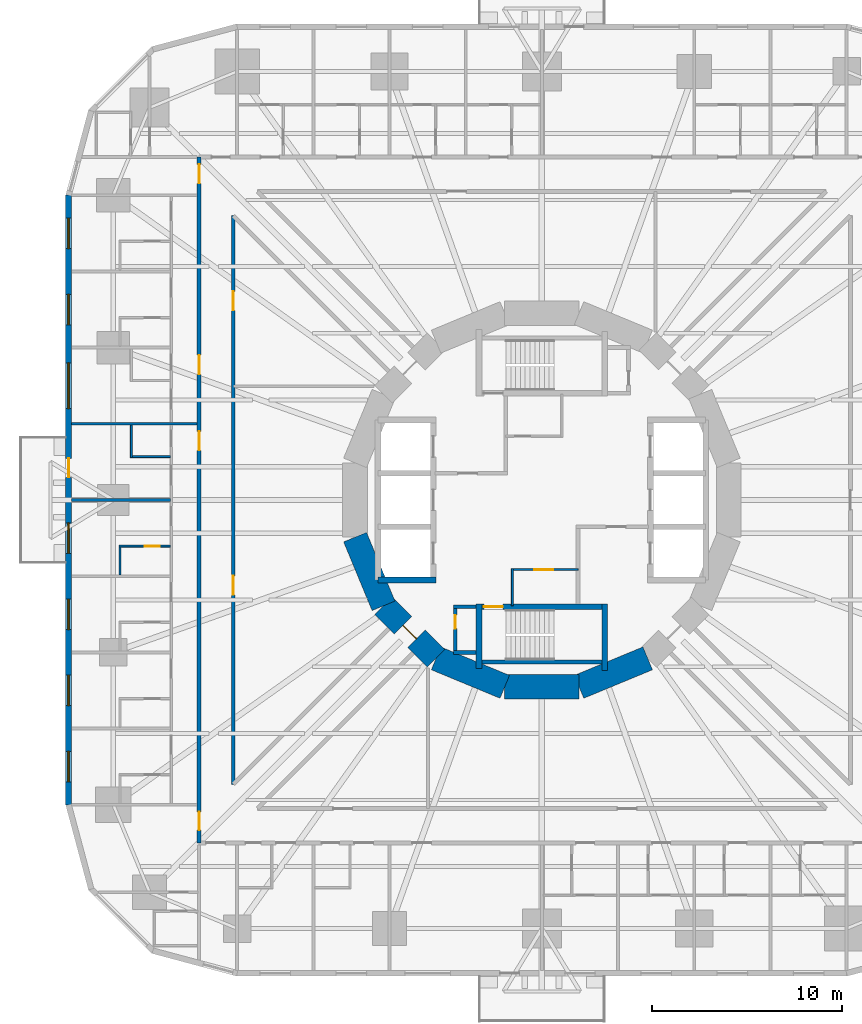
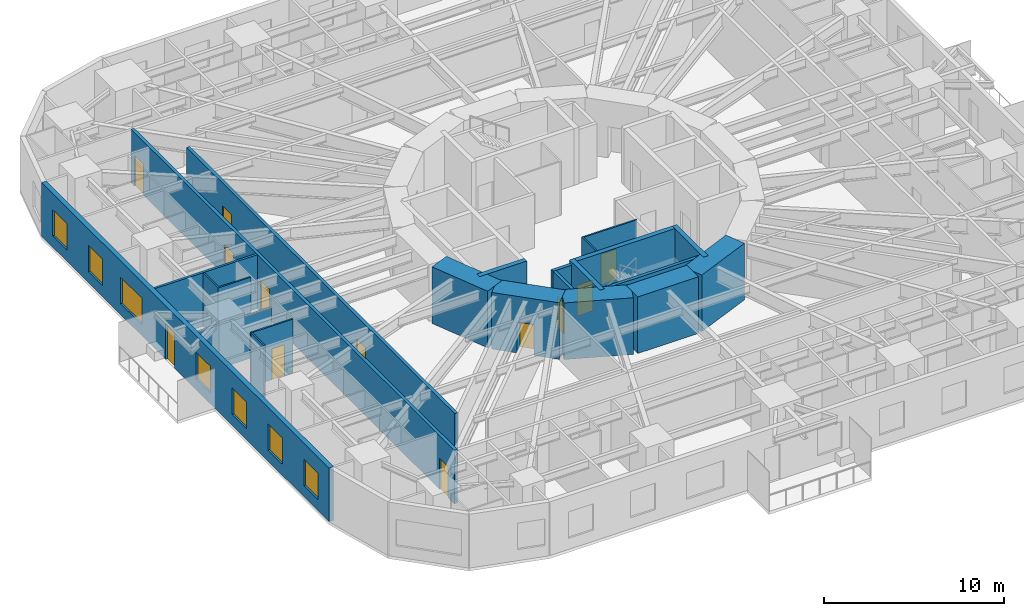
# One storey, part 6 of 14: 24 walls, 12 doors, 7 windows, 19 openings.
"""IFC4 building model written with IfcOpenShell, lengths in metres."""

from ifc_helpers import new_model, si_unit, direction, frame, frame_2d, origin, place, context, subcontext, project, spatial, rectangle, extrude, material, layer, layer_set, type_object, element, fill, save


model = new_model("IFC4")

# Units and contexts
model_context = context("Model", 3, precision=1e-05, world=origin(), true_north=direction((0.0, 1.0)))
body_context = subcontext(model_context, "Body", "Model", "MODEL_VIEW")
ifc_project = project(units=[si_unit("LENGTHUNIT", "METRE"), si_unit("AREAUNIT", "SQUARE_METRE"), si_unit("VOLUMEUNIT", "CUBIC_METRE"), si_unit("PLANEANGLEUNIT", "RADIAN"), si_unit("MASSUNIT", "GRAM", prefix="KILO")], contexts=[model_context])

# Site, building, storey
site_placement = place(None, origin())
site = spatial("IfcSite", under=ifc_project, at=site_placement, CompositionType="ELEMENT")
building_placement = place(site_placement, origin())
building = spatial("IfcBuilding", under=site, at=building_placement, Name="Nakasero Lantern House", CompositionType="ELEMENT")
storey_placement = place(building_placement, frame((0.0, 0.0, 23.699951171875)))
storey = spatial("IfcBuildingStorey", under=building, at=storey_placement, Name="L05", CompositionType="ELEMENT", Elevation=23.699951171875)

# Wall
ifc_material_1 = material(Name="Concrete C50/60", Category="concrete")
ifc_layer_1 = layer(ifc_material_1, 0.300048828125)
ifc_layer_set_1 = layer_set([ifc_layer_1], Name="Core inner wall 300")
wall_type_1 = type_object("IfcWallType", Name="Core inner wall 300", PredefinedType="SHEAR", material=ifc_layer_set_1)
wall_1_placement = place(storey_placement, frame((-8.60009765625, -4.199951171875, 0.0), z_axis=(0.0, 0.0, 1.0), x_axis=(1.0, 0.0, 0.0)))
element("IfcWall", 1, at=wall_1_placement, inside=storey, type_object=wall_type_1, Name="Core inner wall L05 LWS", PredefinedType="SHEAR", context=body_context, shape_type="SweptSolid", body=[
    extrude(rectangle(XDim=3.050048828125, YDim=0.300048828125, at=frame_2d((1.52490234375, 0.0))), origin(), (0.0, 0.0, 1.0), 3.85009765625),
])

# Wall, opening, door
wall_2_placement = place(storey_placement, frame((-3.449951171875, -5.60009765625, 0.0), z_axis=(0.0, 0.0, 1.0), x_axis=(1.0, 0.0, 0.0)))
wall_2 = element("IfcWall", 2, at=wall_2_placement, inside=storey, type_object=wall_type_1, Name="Core inner wall L05 SS", PredefinedType="SHEAR", context=body_context, shape_type="SweptSolid", body=[
    extrude(rectangle(XDim=6.89990234375, YDim=0.300048828125, at=frame_2d((3.449951171875, 0.0))), origin(), (0.0, 0.0, 1.0), 3.85009765625),
])
opening_1_placement = place(wall_2_placement, frame((0.39990234375, 0.0, 0.0)))
opening_1 = element("IfcOpeningElement", 3, at=opening_1_placement, cuts=wall_2, Name="Opening D05", PredefinedType="OPENING", context=body_context, shape_type="SweptSolid", body=[
    extrude(rectangle(XDim=1.0, YDim=2.10009765625, at=frame_2d((0.5, 1.050048828125))), frame((0.0, 0.169921875, 0.0), z_axis=(0.0, -1.0, 0.0), x_axis=(1.0, 0.0, 0.0)), (0.0, 0.0, 1.0), 0.340087890625),
])
ifc_material_2 = material(Name="Timber C24", Category="wood")
door_type_1 = type_object("IfcDoorType", Name="Core door FD60S 1000", OperationType="SINGLE_SWING_LEFT", PredefinedType="DOOR", material=ifc_material_2)
door_1_placement = place(opening_1_placement, origin())
door_1 = element("IfcDoor", 4, at=door_1_placement, inside=storey, type_object=door_type_1, Name="Door L05 D-ST2", OperationType="SINGLE_SWING_LEFT", OverallHeight=2.10009765625, OverallWidth=1.0, PredefinedType="DOOR", context=body_context, shape_type="SweptSolid", body=[
    extrude(rectangle(XDim=1.0, YDim=2.10009765625, at=frame_2d((0.5, 1.050048828125))), frame((0.0, 0.02490234375, 0.0), z_axis=(0.0, -1.0, 0.0), x_axis=(1.0, 0.0, 0.0)), (0.0, 0.0, 1.0), 0.050048828125),
])
fill(opening_1, door_1)

# Walls
wall_3_placement = place(storey_placement, frame((-3.300048828125, -5.449951171875, 0.0), z_axis=(0.0, 0.0, 1.0), x_axis=(0.0, -1.0, 0.0)))
element("IfcWall", 5, at=wall_3_placement, inside=storey, type_object=wall_type_1, Name="Core inner wall L05 SSW", PredefinedType="SHEAR", context=body_context, shape_type="SweptSolid", body=[
    extrude(rectangle(XDim=3.400146484375, YDim=0.300048828125, at=frame_2d((1.7001953125, 0.0))), origin(), (0.0, 0.0, 1.0), 3.85009765625),
])
wall_4_placement = place(storey_placement, frame((3.300048828125, -5.449951171875, 0.0), z_axis=(0.0, 0.0, 1.0), x_axis=(0.0, -1.0, 0.0)))
element("IfcWall", 6, at=wall_4_placement, inside=storey, type_object=wall_type_1, Name="Core inner wall L05 SSE", PredefinedType="SHEAR", context=body_context, shape_type="SweptSolid", body=[
    extrude(rectangle(XDim=3.5, YDim=0.300048828125, at=frame_2d((1.75, 0.0))), origin(), (0.0, 0.0, 1.0), 3.85009765625),
])

# Wall, opening, door
ifc_material_3 = material(Name="Blockwork", Category="masonry")
ifc_layer_2 = layer(ifc_material_3, 0.10009765625)
ifc_layer_set_2 = layer_set([ifc_layer_2], Name="Core room wall 100")
wall_type_2 = type_object("IfcWallType", Name="Core room wall 100", PredefinedType="PARTITIONING", material=ifc_layer_set_2)
wall_5_placement = place(storey_placement, frame((-1.60009765625, -3.64990234375, 0.0), z_axis=(0.0, 0.0, 1.0), x_axis=(1.0, 0.0, 0.0)))
wall_5 = element("IfcWall", 7, at=wall_5_placement, inside=storey, type_object=wall_type_2, Name="Core room wall L05 CR-SWN", PredefinedType="PARTITIONING", context=body_context, shape_type="SweptSolid", body=[
    extrude(rectangle(XDim=3.5, YDim=0.10009765625, at=frame_2d((1.75, 0.0))), origin(), (0.0, 0.0, 1.0), 3.650146484375),
])
opening_2_placement = place(wall_5_placement, frame((1.199951171875, 0.0, 0.0)))
opening_2 = element("IfcOpeningElement", 8, at=opening_2_placement, cuts=wall_5, Name="Opening D07", PredefinedType="OPENING", context=body_context, shape_type="SweptSolid", body=[
    extrude(rectangle(XDim=1.0, YDim=2.10009765625, at=frame_2d((0.5, 1.050048828125))), frame((0.0, 0.070068359375, 0.0), z_axis=(0.0, -1.0, 0.0), x_axis=(1.0, 0.0, 0.0)), (0.0, 0.0, 1.0), 0.14013671875),
])
ifc_material_4 = material(Name="Timber C24", Category="wood")
door_type_2 = type_object("IfcDoorType", Name="Room door FD30S 1000", OperationType="SINGLE_SWING_LEFT", PredefinedType="DOOR", material=ifc_material_4)
door_2_placement = place(opening_2_placement, origin())
door_2 = element("IfcDoor", 9, at=door_2_placement, inside=storey, type_object=door_type_2, Name="Door L05 D-CR-SW", OperationType="SINGLE_SWING_LEFT", OverallHeight=2.10009765625, OverallWidth=1.0, PredefinedType="DOOR", context=body_context, shape_type="SweptSolid", body=[
    extrude(rectangle(XDim=1.0, YDim=2.10009765625, at=frame_2d((0.5, 1.050048828125))), frame((0.0, 0.02490234375, 0.0), z_axis=(0.0, -1.0, 0.0), x_axis=(1.0, 0.0, 0.0)), (0.0, 0.0, 1.0), 0.050048828125),
])
fill(opening_2, door_2)

# Walls
wall_6_placement = place(storey_placement, frame((-1.550048828125, -5.550048828125, 0.0), z_axis=(0.0, 0.0, 1.0), x_axis=(0.0, 1.0, 0.0)))
element("IfcWall", 10, at=wall_6_placement, inside=storey, type_object=wall_type_2, Name="Core room wall L05 CR-SWW", PredefinedType="PARTITIONING", context=body_context, shape_type="SweptSolid", body=[
    extrude(rectangle(XDim=1.949951171875, YDim=0.10009765625, at=frame_2d((0.97509765625, 0.0))), origin(), (0.0, 0.0, 1.0), 3.650146484375),
])
ifc_material_5 = material(Name="Concrete C50/60", Category="concrete")
ifc_layer_3 = layer(ifc_material_5, 1.300048828125)
ifc_layer_set_3 = layer_set([ifc_layer_3], Name="Core wall 1300")
wall_type_3 = type_object("IfcWallType", Name="Core wall 1300", PredefinedType="SHEAR", material=ifc_layer_set_3)
wall_7_placement = place(storey_placement, frame((-9.807861328125, -1.950927734375, 0.0), z_axis=(0.0, 0.0, 1.0), x_axis=(0.382690736062, -0.923876507187, 0.0)))
element("IfcWall", 11, at=wall_7_placement, inside=storey, type_object=wall_type_3, Name="Core wall L05 facet 9", PredefinedType="SHEAR", context=body_context, shape_type="SweptSolid", body=[
    extrude(rectangle(XDim=3.90185546875, YDim=1.300048828125, at=frame_2d((1.950927734375, 0.0))), origin(), (0.0, 0.0, 1.0), 3.85009765625),
])

# Wall, opening, door
wall_8_placement = place(storey_placement, frame((-8.314697265625, -5.5556640625, 0.0), z_axis=(0.0, 0.0, 1.0), x_axis=(0.707106781187, -0.707106781187, 0.0)))
wall_8 = element("IfcWall", 12, at=wall_8_placement, inside=storey, type_object=wall_type_3, Name="Core wall L05 facet 10", PredefinedType="SHEAR", context=body_context, shape_type="SweptSolid", body=[
    extrude(rectangle(XDim=3.90185546875, YDim=1.300048828125, at=frame_2d((1.950927734375, 0.0))), origin(), (0.0, 0.0, 1.0), 3.85009765625),
])
opening_3_placement = place(wall_8_placement, frame((1.450927734375, 0.0, 0.0)))
opening_3 = element("IfcOpeningElement", 13, at=opening_3_placement, cuts=wall_8, Name="Opening D05", PredefinedType="OPENING", context=body_context, shape_type="SweptSolid", body=[
    extrude(rectangle(XDim=1.0, YDim=2.10009765625, at=frame_2d((0.5, 1.050048828125))), frame((0.0, 0.669921875, 0.0), z_axis=(0.0, -1.0, 0.0), x_axis=(1.0, 0.0, 0.0)), (0.0, 0.0, 1.0), 1.340087890625),
])
door_3_placement = place(opening_3_placement, origin())
door_3 = element("IfcDoor", 14, at=door_3_placement, inside=storey, type_object=door_type_1, Name="Door L05 D-CORE10", OperationType="SINGLE_SWING_LEFT", OverallHeight=2.10009765625, OverallWidth=1.0, PredefinedType="DOOR", context=body_context, shape_type="SweptSolid", body=[
    extrude(rectangle(XDim=1.0, YDim=2.10009765625, at=frame_2d((0.5, 1.050048828125))), frame((0.0, 0.02490234375, 0.0), z_axis=(0.0, -1.0, 0.0), x_axis=(1.0, 0.0, 0.0)), (0.0, 0.0, 1.0), 0.050048828125),
])
fill(opening_3, door_3)

# Walls
for number, where, z_axis, x_axis, name in (
    (15, (-5.5556640625, -8.314697265625, 0.0), (0.0, 0.0, 1.0), (0.923876507187, -0.382690736062, 0.0), "Core wall L05 facet 11"),
    (16, (-1.950927734375, -9.807861328125, 0.0), (0.0, 0.0, 1.0), (1.0, 0.0, 0.0), "Core wall L05 facet 12"),
    (17, (1.950927734375, -9.807861328125, 0.0), (0.0, 0.0, 1.0), (0.923876507187, 0.382690736062, 0.0), "Core wall L05 facet 13"),
):
    element("IfcWall", number, at=place(storey_placement, frame(where, z_axis=z_axis, x_axis=x_axis)), inside=storey, type_object=wall_type_3, Name=name, PredefinedType="SHEAR", context=body_context, shape_type="SweptSolid", body=[
        extrude(rectangle(XDim=3.90185546875, YDim=1.300048828125, at=frame_2d((1.950927734375, 0.0))), origin(), (0.0, 0.0, 1.0), 3.85009765625),
    ])

# Wall, openings, doors
ifc_material_6 = material(Name="Blockwork", Category="masonry")
ifc_layer_4 = layer(ifc_material_6, 0.199951171875)
ifc_layer_set_4 = layer_set([ifc_layer_4], Name="Corridor wall 200")
wall_type_4 = type_object("IfcWallType", Name="Corridor wall 200", PredefinedType="PARTITIONING", material=ifc_layer_set_4)
wall_9_placement = place(storey_placement, frame((-18.0, 18.0, 0.0), z_axis=(0.0, 0.0, 1.0), x_axis=(0.0, -1.0, 0.0)))
wall_9 = element("IfcWall", 18, at=wall_9_placement, inside=storey, type_object=wall_type_4, Name="Corridor wall L05 CW2", PredefinedType="PARTITIONING", context=body_context, shape_type="SweptSolid", body=[
    extrude(rectangle(XDim=36.0, YDim=0.199951171875, at=frame_2d((18.0, 0.0))), origin(), (0.0, 0.0, 1.0), 3.650146484375),
])
opening_4_placement = place(wall_9_placement, frame((10.39990234375, 0.0, 0.0)))
opening_4 = element("IfcOpeningElement", 19, at=opening_4_placement, cuts=wall_9, Name="Opening D14", PredefinedType="OPENING", context=body_context, shape_type="SweptSolid", body=[
    extrude(rectangle(XDim=1.0, YDim=2.10009765625, at=frame_2d((0.5, 1.050048828125))), frame((0.0, 0.119873046875, 0.0), z_axis=(0.0, -1.0, 0.0), x_axis=(1.0, 0.0, 0.0)), (0.0, 0.0, 1.0), 0.239990234375),
])
opening_5_placement = place(wall_9_placement, frame((14.39990234375, 0.0, 0.0)))
opening_5 = element("IfcOpeningElement", 20, at=opening_5_placement, cuts=wall_9, Name="Opening D14", PredefinedType="OPENING", context=body_context, shape_type="SweptSolid", body=[
    extrude(rectangle(XDim=1.0, YDim=2.10009765625, at=frame_2d((0.5, 1.050048828125))), frame((0.0, 0.119873046875, 0.0), z_axis=(0.0, -1.0, 0.0), x_axis=(1.0, 0.0, 0.0)), (0.0, 0.0, 1.0), 0.239990234375),
])
opening_6_placement = place(wall_9_placement, frame((0.375, 0.0, 0.0)))
opening_6 = element("IfcOpeningElement", 21, at=opening_6_placement, cuts=wall_9, Name="Opening D07", PredefinedType="OPENING", context=body_context, shape_type="SweptSolid", body=[
    extrude(rectangle(XDim=1.0, YDim=2.10009765625, at=frame_2d((0.5, 1.050048828125))), frame((0.0, 0.119873046875, 0.0), z_axis=(0.0, -1.0, 0.0), x_axis=(1.0, 0.0, 0.0)), (0.0, 0.0, 1.0), 0.239990234375),
])
opening_7_placement = place(wall_9_placement, frame((34.375, 0.0, 0.0)))
opening_7 = element("IfcOpeningElement", 22, at=opening_7_placement, cuts=wall_9, Name="Opening D01", PredefinedType="OPENING", context=body_context, shape_type="SweptSolid", body=[
    extrude(rectangle(XDim=0.949951171875, YDim=2.10009765625, at=frame_2d((0.47509765625, 1.050048828125))), frame((0.0, 0.119873046875, 0.0), z_axis=(0.0, -1.0, 0.0), x_axis=(1.0, 0.0, 0.0)), (0.0, 0.0, 1.0), 0.239990234375),
])
ifc_material_7 = material(Name="Timber C24", Category="wood")
door_type_3 = type_object("IfcDoorType", Name="Bedroom door FD30S 950", OperationType="SINGLE_SWING_LEFT", PredefinedType="DOOR", material=ifc_material_7)
door_4_placement = place(opening_7_placement, origin())
door_4 = element("IfcDoor", 23, at=door_4_placement, inside=storey, type_object=door_type_3, Name="Door L05 D2-09", OperationType="SINGLE_SWING_RIGHT", OverallHeight=2.10009765625, OverallWidth=0.949951171875, PredefinedType="DOOR", context=body_context, shape_type="SweptSolid", body=[
    extrude(rectangle(XDim=0.949951171875, YDim=2.10009765625, at=frame_2d((0.47509765625, 1.050048828125))), frame((0.0, 0.02490234375, 0.0), z_axis=(0.0, -1.0, 0.0), x_axis=(1.0, 0.0, 0.0)), (0.0, 0.0, 1.0), 0.050048828125),
])
fill(opening_7, door_4)
ifc_material_8 = material(Name="Timber C24", Category="wood")
door_type_4 = type_object("IfcDoorType", Name="Cluster entrance door FD30S 1000", OperationType="SINGLE_SWING_LEFT", PredefinedType="DOOR", material=ifc_material_8)
door_5_placement = place(opening_4_placement, origin())
door_5 = element("IfcDoor", 24, at=door_5_placement, inside=storey, type_object=door_type_4, Name="Door L05 DF2-0", OperationType="SINGLE_SWING_LEFT", OverallHeight=2.10009765625, OverallWidth=1.0, PredefinedType="DOOR", context=body_context, shape_type="SweptSolid", body=[
    extrude(rectangle(XDim=1.0, YDim=2.10009765625, at=frame_2d((0.5, 1.050048828125))), frame((0.0, 0.02490234375, 0.0), z_axis=(0.0, -1.0, 0.0), x_axis=(1.0, 0.0, 0.0)), (0.0, 0.0, 1.0), 0.050048828125),
])
fill(opening_4, door_5)
door_6_placement = place(opening_5_placement, origin())
door_6 = element("IfcDoor", 25, at=door_6_placement, inside=storey, type_object=door_type_4, Name="Door L05 DF2-1", OperationType="SINGLE_SWING_LEFT", OverallHeight=2.10009765625, OverallWidth=1.0, PredefinedType="DOOR", context=body_context, shape_type="SweptSolid", body=[
    extrude(rectangle(XDim=1.0, YDim=2.10009765625, at=frame_2d((0.5, 1.050048828125))), frame((0.0, 0.02490234375, 0.0), z_axis=(0.0, -1.0, 0.0), x_axis=(1.0, 0.0, 0.0)), (0.0, 0.0, 1.0), 0.050048828125),
])
fill(opening_5, door_6)
door_7_placement = place(opening_6_placement, origin())
door_7 = element("IfcDoor", 26, at=door_7_placement, inside=storey, type_object=door_type_2, Name="Door L05 D2-00", OperationType="SINGLE_SWING_LEFT", OverallHeight=2.10009765625, OverallWidth=1.0, PredefinedType="DOOR", context=body_context, shape_type="SweptSolid", body=[
    extrude(rectangle(XDim=1.0, YDim=2.10009765625, at=frame_2d((0.5, 1.050048828125))), frame((0.0, 0.02490234375, 0.0), z_axis=(0.0, -1.0, 0.0), x_axis=(1.0, 0.0, 0.0)), (0.0, 0.0, 1.0), 0.050048828125),
])
fill(opening_6, door_7)

wall_10_placement = place(storey_placement, frame((-16.199951171875, 14.92724609375, 0.0), z_axis=(0.0, 0.0, 1.0), x_axis=(0.0, -1.0, 0.0)))
wall_10 = element("IfcWall", 27, at=wall_10_placement, inside=storey, type_object=wall_type_4, Name="Corridor wall L05 IW2-0", PredefinedType="PARTITIONING", context=body_context, shape_type="SweptSolid", body=[
    extrude(rectangle(XDim=29.8544921875, YDim=0.199951171875, at=frame_2d((14.92724609375, 0.0))), origin(), (0.0, 0.0, 1.0), 3.650146484375),
])
opening_8_placement = place(wall_10_placement, frame((3.978271484375, 0.0, 0.0)))
opening_8 = element("IfcOpeningElement", 28, at=opening_8_placement, cuts=wall_10, Name="Opening D07", PredefinedType="OPENING", context=body_context, shape_type="SweptSolid", body=[
    extrude(rectangle(XDim=1.0, YDim=2.10009765625, at=frame_2d((0.5, 1.050048828125))), frame((0.0, 0.119873046875, 0.0), z_axis=(0.0, -1.0, 0.0), x_axis=(1.0, 0.0, 0.0)), (0.0, 0.0, 1.0), 0.239990234375),
])
opening_9_placement = place(wall_10_placement, frame((18.9052734375, 0.0, 0.0)))
opening_9 = element("IfcOpeningElement", 29, at=opening_9_placement, cuts=wall_10, Name="Opening D07", PredefinedType="OPENING", context=body_context, shape_type="SweptSolid", body=[
    extrude(rectangle(XDim=1.0, YDim=2.10009765625, at=frame_2d((0.5, 1.050048828125))), frame((0.0, 0.119873046875, 0.0), z_axis=(0.0, -1.0, 0.0), x_axis=(1.0, 0.0, 0.0)), (0.0, 0.0, 1.0), 0.239990234375),
])
door_8_placement = place(opening_8_placement, origin())
door_8 = element("IfcDoor", 30, at=door_8_placement, inside=storey, type_object=door_type_2, Name="Door L05 DI4", OperationType="SINGLE_SWING_LEFT", OverallHeight=2.10009765625, OverallWidth=1.0, PredefinedType="DOOR", context=body_context, shape_type="SweptSolid", body=[
    extrude(rectangle(XDim=1.0, YDim=2.10009765625, at=frame_2d((0.5, 1.050048828125))), frame((0.0, 0.02490234375, 0.0), z_axis=(0.0, -1.0, 0.0), x_axis=(1.0, 0.0, 0.0)), (0.0, 0.0, 1.0), 0.050048828125),
])
fill(opening_8, door_8)
door_9_placement = place(opening_9_placement, origin())
door_9 = element("IfcDoor", 31, at=door_9_placement, inside=storey, type_object=door_type_2, Name="Door L05 DI4S", OperationType="SINGLE_SWING_RIGHT", OverallHeight=2.10009765625, OverallWidth=1.0, PredefinedType="DOOR", context=body_context, shape_type="SweptSolid", body=[
    extrude(rectangle(XDim=1.0, YDim=2.10009765625, at=frame_2d((0.5, 1.050048828125))), frame((0.0, 0.02490234375, 0.0), z_axis=(0.0, -1.0, 0.0), x_axis=(1.0, 0.0, 0.0)), (0.0, 0.0, 1.0), 0.050048828125),
])
fill(opening_9, door_9)

# Walls
ifc_material_9 = material(Name="Blockwork", Category="masonry")
ifc_layer_5 = layer(ifc_material_9, 0.10009765625)
ifc_layer_set_5 = layer_set([ifc_layer_5], Name="En-suite wall 100")
wall_type_5 = type_object("IfcWallType", Name="En-suite wall 100", PredefinedType="PARTITIONING", material=ifc_layer_set_5)
wall_11_placement = place(storey_placement, frame((-19.5, 2.27490234375, 0.0), z_axis=(0.0, 0.0, 1.0), x_axis=(-1.0, 0.0, 0.0)))
element("IfcWall", 32, at=wall_11_placement, inside=storey, type_object=wall_type_5, Name="En-suite wall L05 SS2-1", PredefinedType="PARTITIONING", context=body_context, shape_type="SweptSolid", body=[
    extrude(rectangle(XDim=2.10009765625, YDim=0.10009765625, at=frame_2d((1.050048828125, 0.0))), origin(), (0.0, 0.0, 1.0), 3.650146484375),
])
wall_12_placement = place(storey_placement, frame((-21.550048828125, 3.925048828125, 0.0), z_axis=(0.0, 0.0, 1.0), x_axis=(0.0, -1.0, 0.0)))
element("IfcWall", 33, at=wall_12_placement, inside=storey, type_object=wall_type_5, Name="En-suite wall L05 SE2-1", PredefinedType="PARTITIONING", context=body_context, shape_type="SweptSolid", body=[
    extrude(rectangle(XDim=1.699951171875, YDim=0.10009765625, at=frame_2d((0.85009765625, 0.0))), origin(), (0.0, 0.0, 1.0), 3.650146484375),
])

# Wall, opening, door
wall_13_placement = place(storey_placement, frame((-19.5, -2.425048828125, 0.0), z_axis=(0.0, 0.0, 1.0), x_axis=(-1.0, 0.0, 0.0)))
wall_13 = element("IfcWall", 34, at=wall_13_placement, inside=storey, type_object=wall_type_5, Name="En-suite wall L05 ES2-05", PredefinedType="PARTITIONING", context=body_context, shape_type="SweptSolid", body=[
    extrude(rectangle(XDim=2.699951171875, YDim=0.10009765625, at=frame_2d((1.35009765625, 0.0))), origin(), (0.0, 0.0, 1.0), 3.650146484375),
])
opening_10_placement = place(wall_13_placement, frame((0.550048828125, 0.0, 0.0)))
opening_10 = element("IfcOpeningElement", 35, at=opening_10_placement, cuts=wall_13, Name="Opening D02", PredefinedType="OPENING", context=body_context, shape_type="SweptSolid", body=[
    extrude(rectangle(XDim=0.800048828125, YDim=2.10009765625, at=frame_2d((0.39990234375, 1.050048828125))), frame((0.0, 0.070068359375, 0.0), z_axis=(0.0, -1.0, 0.0), x_axis=(1.0, 0.0, 0.0)), (0.0, 0.0, 1.0), 0.14013671875),
])
ifc_material_10 = material(Name="Timber C24", Category="wood")
door_type_5 = type_object("IfcDoorType", Name="En-suite door 800", OperationType="SINGLE_SWING_RIGHT", PredefinedType="DOOR", material=ifc_material_10)
door_10_placement = place(opening_10_placement, origin())
door_10 = element("IfcDoor", 36, at=door_10_placement, inside=storey, type_object=door_type_5, Name="Door L05 DE2-05", OperationType="SINGLE_SWING_LEFT", OverallHeight=2.10009765625, OverallWidth=0.800048828125, PredefinedType="DOOR", context=body_context, shape_type="SweptSolid", body=[
    extrude(rectangle(XDim=0.800048828125, YDim=2.10009765625, at=frame_2d((0.39990234375, 1.050048828125))), frame((0.0, 0.02490234375, 0.0), z_axis=(0.0, -1.0, 0.0), x_axis=(1.0, 0.0, 0.0)), (0.0, 0.0, 1.0), 0.050048828125),
])
fill(opening_10, door_10)

# Wall
wall_14_placement = place(storey_placement, frame((-22.14990234375, -2.47509765625, 0.0), z_axis=(0.0, 0.0, 1.0), x_axis=(0.0, -1.0, 0.0)))
element("IfcWall", 37, at=wall_14_placement, inside=storey, type_object=wall_type_5, Name="En-suite wall L05 EE2-05", PredefinedType="PARTITIONING", context=body_context, shape_type="SweptSolid", body=[
    extrude(rectangle(XDim=1.449951171875, YDim=0.10009765625, at=frame_2d((0.72509765625, 0.0))), origin(), (0.0, 0.0, 1.0), 3.650146484375),
])

# Wall, openings, door, windows
ifc_material_11 = material(Name="Aluminium rainscreen on blockwork", Category="masonry")
ifc_layer_6 = layer(ifc_material_11, 0.300048828125)
ifc_layer_set_6 = layer_set([ifc_layer_6], Name="Facade wall 300")
wall_type_6 = type_object("IfcWallType", Name="Facade wall 300", PredefinedType="SOLIDWALL", material=ifc_layer_set_6)
wall_15_placement = place(storey_placement, frame((-24.85009765625, 16.0, 0.0), z_axis=(0.0, 0.0, 1.0), x_axis=(0.0, -1.0, 0.0)))
wall_15 = element("IfcWall", 38, at=wall_15_placement, inside=storey, type_object=wall_type_6, Name="Facade wall L05 FW2S", PredefinedType="SOLIDWALL", context=body_context, shape_type="SweptSolid", body=[
    extrude(rectangle(XDim=32.0, YDim=0.300048828125, at=frame_2d((16.0, 0.0))), origin(), (0.0, 0.0, 1.0), 3.650146484375),
])
opening_11_placement = place(wall_15_placement, frame((1.199951171875, 0.0, 0.75)))
opening_11 = element("IfcOpeningElement", 39, at=opening_11_placement, cuts=wall_15, Name="Opening W01", PredefinedType="OPENING", context=body_context, shape_type="SweptSolid", body=[
    extrude(rectangle(XDim=1.60009765625, YDim=1.800048828125, at=frame_2d((0.800048828125, 0.89990234375))), frame((0.0, 0.169921875, 0.0), z_axis=(0.0, -1.0, 0.0), x_axis=(1.0, 0.0, 0.0)), (0.0, 0.0, 1.0), 0.340087890625),
])
opening_12_placement = place(wall_15_placement, frame((5.199951171875, 0.0, 0.75)))
opening_12 = element("IfcOpeningElement", 40, at=opening_12_placement, cuts=wall_15, Name="Opening W01", PredefinedType="OPENING", context=body_context, shape_type="SweptSolid", body=[
    extrude(rectangle(XDim=1.60009765625, YDim=1.800048828125, at=frame_2d((0.800048828125, 0.89990234375))), frame((0.0, 0.169921875, 0.0), z_axis=(0.0, -1.0, 0.0), x_axis=(1.0, 0.0, 0.0)), (0.0, 0.0, 1.0), 0.340087890625),
])
opening_13_placement = place(wall_15_placement, frame((17.199951171875, 0.0, 0.75)))
opening_13 = element("IfcOpeningElement", 41, at=opening_13_placement, cuts=wall_15, Name="Opening W01", PredefinedType="OPENING", context=body_context, shape_type="SweptSolid", body=[
    extrude(rectangle(XDim=1.60009765625, YDim=1.800048828125, at=frame_2d((0.800048828125, 0.89990234375))), frame((0.0, 0.169921875, 0.0), z_axis=(0.0, -1.0, 0.0), x_axis=(1.0, 0.0, 0.0)), (0.0, 0.0, 1.0), 0.340087890625),
])
opening_14_placement = place(wall_15_placement, frame((21.199951171875, 0.0, 0.75)))
opening_14 = element("IfcOpeningElement", 42, at=opening_14_placement, cuts=wall_15, Name="Opening W01", PredefinedType="OPENING", context=body_context, shape_type="SweptSolid", body=[
    extrude(rectangle(XDim=1.60009765625, YDim=1.800048828125, at=frame_2d((0.800048828125, 0.89990234375))), frame((0.0, 0.169921875, 0.0), z_axis=(0.0, -1.0, 0.0), x_axis=(1.0, 0.0, 0.0)), (0.0, 0.0, 1.0), 0.340087890625),
])
opening_15_placement = place(wall_15_placement, frame((25.199951171875, 0.0, 0.75)))
opening_15 = element("IfcOpeningElement", 43, at=opening_15_placement, cuts=wall_15, Name="Opening W01", PredefinedType="OPENING", context=body_context, shape_type="SweptSolid", body=[
    extrude(rectangle(XDim=1.60009765625, YDim=1.800048828125, at=frame_2d((0.800048828125, 0.89990234375))), frame((0.0, 0.169921875, 0.0), z_axis=(0.0, -1.0, 0.0), x_axis=(1.0, 0.0, 0.0)), (0.0, 0.0, 1.0), 0.340087890625),
])
opening_16_placement = place(wall_15_placement, frame((29.199951171875, 0.0, 0.75)))
opening_16 = element("IfcOpeningElement", 44, at=opening_16_placement, cuts=wall_15, Name="Opening W01", PredefinedType="OPENING", context=body_context, shape_type="SweptSolid", body=[
    extrude(rectangle(XDim=1.60009765625, YDim=1.800048828125, at=frame_2d((0.800048828125, 0.89990234375))), frame((0.0, 0.169921875, 0.0), z_axis=(0.0, -1.0, 0.0), x_axis=(1.0, 0.0, 0.0)), (0.0, 0.0, 1.0), 0.340087890625),
])
opening_17_placement = place(wall_15_placement, frame((8.800048828125, 0.0, 0.75)))
opening_17 = element("IfcOpeningElement", 45, at=opening_17_placement, cuts=wall_15, Name="Opening W03", PredefinedType="OPENING", context=body_context, shape_type="SweptSolid", body=[
    extrude(rectangle(XDim=2.39990234375, YDim=1.800048828125, at=frame_2d((1.199951171875, 0.89990234375))), frame((0.0, 0.169921875, 0.0), z_axis=(0.0, -1.0, 0.0), x_axis=(1.0, 0.0, 0.0)), (0.0, 0.0, 1.0), 0.340087890625),
])
opening_18_placement = place(wall_15_placement, frame((13.8125, 0.0, 0.0)))
opening_18 = element("IfcOpeningElement", 46, at=opening_18_placement, cuts=wall_15, Name="Opening D04", PredefinedType="OPENING", context=body_context, shape_type="SweptSolid", body=[
    extrude(rectangle(XDim=1.0, YDim=2.39990234375, at=frame_2d((0.5, 1.199951171875))), frame((0.0, 0.169921875, 0.0), z_axis=(0.0, -1.0, 0.0), x_axis=(1.0, 0.0, 0.0)), (0.0, 0.0, 1.0), 0.340087890625),
])
ifc_material_12 = material(Name="Aluminium 6063-T6 and glass", Category="aluminium")
door_type_6 = type_object("IfcDoorType", Name="Balcony door 1000x2400", OperationType="SINGLE_SWING_RIGHT", PredefinedType="DOOR", material=ifc_material_12)
door_11_placement = place(opening_18_placement, origin())
door_11 = element("IfcDoor", 47, at=door_11_placement, inside=storey, type_object=door_type_6, Name="Balcony door L05 DB2", OperationType="SINGLE_SWING_RIGHT", OverallHeight=2.39990234375, OverallWidth=1.0, PredefinedType="DOOR", context=body_context, shape_type="SweptSolid", body=[
    extrude(rectangle(XDim=1.0, YDim=2.39990234375, at=frame_2d((0.5, 1.199951171875))), frame((0.0, 0.02490234375, 0.0), z_axis=(0.0, -1.0, 0.0), x_axis=(1.0, 0.0, 0.0)), (0.0, 0.0, 1.0), 0.050048828125),
])
fill(opening_18, door_11)
ifc_material_13 = material(Name="Aluminium 6063-T6 and glass", Category="aluminium")
window_type_1 = type_object("IfcWindowType", Name="Bedroom window 1600x1800", PartitioningType="SINGLE_PANEL", PredefinedType="WINDOW", material=ifc_material_13)
window_1_placement = place(opening_11_placement, origin())
window_1 = element("IfcWindow", 48, at=window_1_placement, inside=storey, type_object=window_type_1, Name="Window L05 WN2-01", OverallHeight=1.800048828125, OverallWidth=1.60009765625, PartitioningType="SINGLE_PANEL", PredefinedType="WINDOW", context=body_context, shape_type="SweptSolid", body=[
    extrude(rectangle(XDim=1.60009765625, YDim=1.800048828125, at=frame_2d((0.800048828125, 0.89990234375))), frame((0.0, 0.030029296875, 0.0), z_axis=(0.0, -1.0, 0.0), x_axis=(1.0, 0.0, 0.0)), (0.0, 0.0, 1.0), 0.06005859375),
])
fill(opening_11, window_1)
window_2_placement = place(opening_12_placement, origin())
window_2 = element("IfcWindow", 49, at=window_2_placement, inside=storey, type_object=window_type_1, Name="Window L05 WN2-02", OverallHeight=1.800048828125, OverallWidth=1.60009765625, PartitioningType="SINGLE_PANEL", PredefinedType="WINDOW", context=body_context, shape_type="SweptSolid", body=[
    extrude(rectangle(XDim=1.60009765625, YDim=1.800048828125, at=frame_2d((0.800048828125, 0.89990234375))), frame((0.0, 0.030029296875, 0.0), z_axis=(0.0, -1.0, 0.0), x_axis=(1.0, 0.0, 0.0)), (0.0, 0.0, 1.0), 0.06005859375),
])
fill(opening_12, window_2)
window_3_placement = place(opening_13_placement, origin())
window_3 = element("IfcWindow", 50, at=window_3_placement, inside=storey, type_object=window_type_1, Name="Window L05 WN2-05", OverallHeight=1.800048828125, OverallWidth=1.60009765625, PartitioningType="SINGLE_PANEL", PredefinedType="WINDOW", context=body_context, shape_type="SweptSolid", body=[
    extrude(rectangle(XDim=1.60009765625, YDim=1.800048828125, at=frame_2d((0.800048828125, 0.89990234375))), frame((0.0, 0.030029296875, 0.0), z_axis=(0.0, -1.0, 0.0), x_axis=(1.0, 0.0, 0.0)), (0.0, 0.0, 1.0), 0.06005859375),
])
fill(opening_13, window_3)
window_4_placement = place(opening_14_placement, origin())
window_4 = element("IfcWindow", 51, at=window_4_placement, inside=storey, type_object=window_type_1, Name="Window L05 WN2-06", OverallHeight=1.800048828125, OverallWidth=1.60009765625, PartitioningType="SINGLE_PANEL", PredefinedType="WINDOW", context=body_context, shape_type="SweptSolid", body=[
    extrude(rectangle(XDim=1.60009765625, YDim=1.800048828125, at=frame_2d((0.800048828125, 0.89990234375))), frame((0.0, 0.030029296875, 0.0), z_axis=(0.0, -1.0, 0.0), x_axis=(1.0, 0.0, 0.0)), (0.0, 0.0, 1.0), 0.06005859375),
])
fill(opening_14, window_4)
window_5_placement = place(opening_15_placement, origin())
window_5 = element("IfcWindow", 52, at=window_5_placement, inside=storey, type_object=window_type_1, Name="Window L05 WN2-07", OverallHeight=1.800048828125, OverallWidth=1.60009765625, PartitioningType="SINGLE_PANEL", PredefinedType="WINDOW", context=body_context, shape_type="SweptSolid", body=[
    extrude(rectangle(XDim=1.60009765625, YDim=1.800048828125, at=frame_2d((0.800048828125, 0.89990234375))), frame((0.0, 0.030029296875, 0.0), z_axis=(0.0, -1.0, 0.0), x_axis=(1.0, 0.0, 0.0)), (0.0, 0.0, 1.0), 0.06005859375),
])
fill(opening_15, window_5)
window_6_placement = place(opening_16_placement, origin())
window_6 = element("IfcWindow", 53, at=window_6_placement, inside=storey, type_object=window_type_1, Name="Window L05 WN2-08", OverallHeight=1.800048828125, OverallWidth=1.60009765625, PartitioningType="SINGLE_PANEL", PredefinedType="WINDOW", context=body_context, shape_type="SweptSolid", body=[
    extrude(rectangle(XDim=1.60009765625, YDim=1.800048828125, at=frame_2d((0.800048828125, 0.89990234375))), frame((0.0, 0.030029296875, 0.0), z_axis=(0.0, -1.0, 0.0), x_axis=(1.0, 0.0, 0.0)), (0.0, 0.0, 1.0), 0.06005859375),
])
fill(opening_16, window_6)
ifc_material_14 = material(Name="Aluminium 6063-T6 and glass", Category="aluminium")
window_type_2 = type_object("IfcWindowType", Name="Lounge window 2400x1800", PartitioningType="SINGLE_PANEL", PredefinedType="WINDOW", material=ifc_material_14)
window_7_placement = place(opening_17_placement, origin())
window_7 = element("IfcWindow", 54, at=window_7_placement, inside=storey, type_object=window_type_2, Name="Window L05 WK2", OverallHeight=1.800048828125, OverallWidth=2.39990234375, PartitioningType="SINGLE_PANEL", PredefinedType="WINDOW", context=body_context, shape_type="SweptSolid", body=[
    extrude(rectangle(XDim=2.39990234375, YDim=1.800048828125, at=frame_2d((1.199951171875, 0.89990234375))), frame((0.0, 0.030029296875, 0.0), z_axis=(0.0, -1.0, 0.0), x_axis=(1.0, 0.0, 0.0)), (0.0, 0.0, 1.0), 0.06005859375),
])
fill(opening_17, window_7)

# Wall, opening, door
ifc_material_15 = material(Name="Blockwork", Category="masonry")
ifc_layer_7 = layer(ifc_material_15, 0.199951171875)
ifc_layer_set_7 = layer_set([ifc_layer_7], Name="Fire lobby wall 200")
wall_type_7 = type_object("IfcWallType", Name="Fire lobby wall 200", PredefinedType="PARTITIONING", material=ifc_layer_set_7)
wall_16_placement = place(storey_placement, frame((-4.550048828125, -5.60009765625, 0.0), z_axis=(0.0, 0.0, 1.0), x_axis=(0.0, -1.0, 0.0)))
wall_16 = element("IfcWall", 55, at=wall_16_placement, inside=storey, type_object=wall_type_7, Name="Fire lobby wall L05 W-RS2W", PredefinedType="PARTITIONING", context=body_context, shape_type="SweptSolid", body=[
    extrude(rectangle(XDim=2.39990234375, YDim=0.199951171875, at=frame_2d((1.199951171875, 0.0))), origin(), (0.0, 0.0, 1.0), 3.650146484375),
])
opening_19_placement = place(wall_16_placement, frame((0.449951171875, 0.0, 0.0)))
opening_19 = element("IfcOpeningElement", 56, at=opening_19_placement, cuts=wall_16, Name="Opening D06", PredefinedType="OPENING", context=body_context, shape_type="SweptSolid", body=[
    extrude(rectangle(XDim=0.699951171875, YDim=2.10009765625, at=frame_2d((0.35009765625, 1.050048828125))), frame((0.0, 0.119873046875, 0.0), z_axis=(0.0, -1.0, 0.0), x_axis=(1.0, 0.0, 0.0)), (0.0, 0.0, 1.0), 0.239990234375),
])
ifc_material_16 = material(Name="Steel S355", Category="steel")
door_type_7 = type_object("IfcDoorType", Name="Riser door FD60 700", OperationType="SINGLE_SWING_LEFT", PredefinedType="DOOR", material=ifc_material_16)
door_12_placement = place(opening_19_placement, origin())
door_12 = element("IfcDoor", 57, at=door_12_placement, inside=storey, type_object=door_type_7, Name="Door L05 D-RS2", OperationType="SINGLE_SWING_LEFT", OverallHeight=2.10009765625, OverallWidth=0.699951171875, PredefinedType="DOOR", context=body_context, shape_type="SweptSolid", body=[
    extrude(rectangle(XDim=0.699951171875, YDim=2.10009765625, at=frame_2d((0.35009765625, 1.050048828125))), frame((0.0, 0.02490234375, 0.0), z_axis=(0.0, -1.0, 0.0), x_axis=(1.0, 0.0, 0.0)), (0.0, 0.0, 1.0), 0.050048828125),
])
fill(opening_19, door_12)

# Walls
for number, where, z_axis, x_axis, name in (
    (58, (-3.449951171875, -8.0, 0.0), (0.0, 0.0, 1.0), (-1.0, 0.0, 0.0), "Fire lobby wall L05 W-RS2S"),
    (59, (-3.449951171875, -5.60009765625, 0.0), (0.0, 0.0, 1.0), (-1.0, 0.0, 0.0), "Fire lobby wall L05 W-RS2N"),
):
    element("IfcWall", number, at=place(storey_placement, frame(where, z_axis=z_axis, x_axis=x_axis)), inside=storey, type_object=wall_type_7, Name=name, PredefinedType="PARTITIONING", context=body_context, shape_type="SweptSolid", body=[
        extrude(rectangle(XDim=1.199951171875, YDim=0.199951171875, at=frame_2d((0.60009765625, 0.0))), origin(), (0.0, 0.0, 1.0), 3.650146484375),
    ])
wall_17_placement = place(storey_placement, frame((-3.300048828125, -8.5, 0.0), z_axis=(0.0, 0.0, 1.0), x_axis=(1.0, 0.0, 0.0)))
element("IfcWall", 60, at=wall_17_placement, inside=storey, type_object=wall_type_7, Name="Fire lobby wall L05 W-STS", PredefinedType="PARTITIONING", context=body_context, shape_type="SweptSolid", body=[
    extrude(rectangle(XDim=6.60009765625, YDim=0.199951171875, at=frame_2d((3.300048828125, 0.0))), origin(), (0.0, 0.0, 1.0), 3.650146484375),
])
ifc_material_17 = material(Name="Blockwork", Category="masonry")
ifc_layer_8 = layer(ifc_material_17, 0.14990234375)
ifc_layer_set_8 = layer_set([ifc_layer_8], Name="Party wall 150")
wall_type_8 = type_object("IfcWallType", Name="Party wall 150", PredefinedType="PARTITIONING", material=ifc_layer_set_8)
wall_18_placement = place(storey_placement, frame((-18.10009765625, 4.0, 0.0), z_axis=(0.0, 0.0, 1.0), x_axis=(-1.0, 0.0, 0.0)))
element("IfcWall", 61, at=wall_18_placement, inside=storey, type_object=wall_type_8, Name="Party wall L05 PW2-04", PredefinedType="PARTITIONING", context=body_context, shape_type="SweptSolid", body=[
    extrude(rectangle(XDim=6.599853515625, YDim=0.14990234375, at=frame_2d((3.2998046875, 0.0))), origin(), (0.0, 0.0, 1.0), 3.650146484375),
])
wall_19_placement = place(storey_placement, frame((-19.5, 0.0, 0.0), z_axis=(0.0, 0.0, 1.0), x_axis=(-1.0, 0.0, 0.0)))
element("IfcWall", 62, at=wall_19_placement, inside=storey, type_object=wall_type_8, Name="Party wall L05 PW2-05", PredefinedType="PARTITIONING", context=body_context, shape_type="SweptSolid", body=[
    extrude(rectangle(XDim=5.199951171875, YDim=0.14990234375, at=frame_2d((2.60009765625, 0.0))), origin(), (0.0, 0.0, 1.0), 2.95703125),
])

save(model, "model.ifc")
